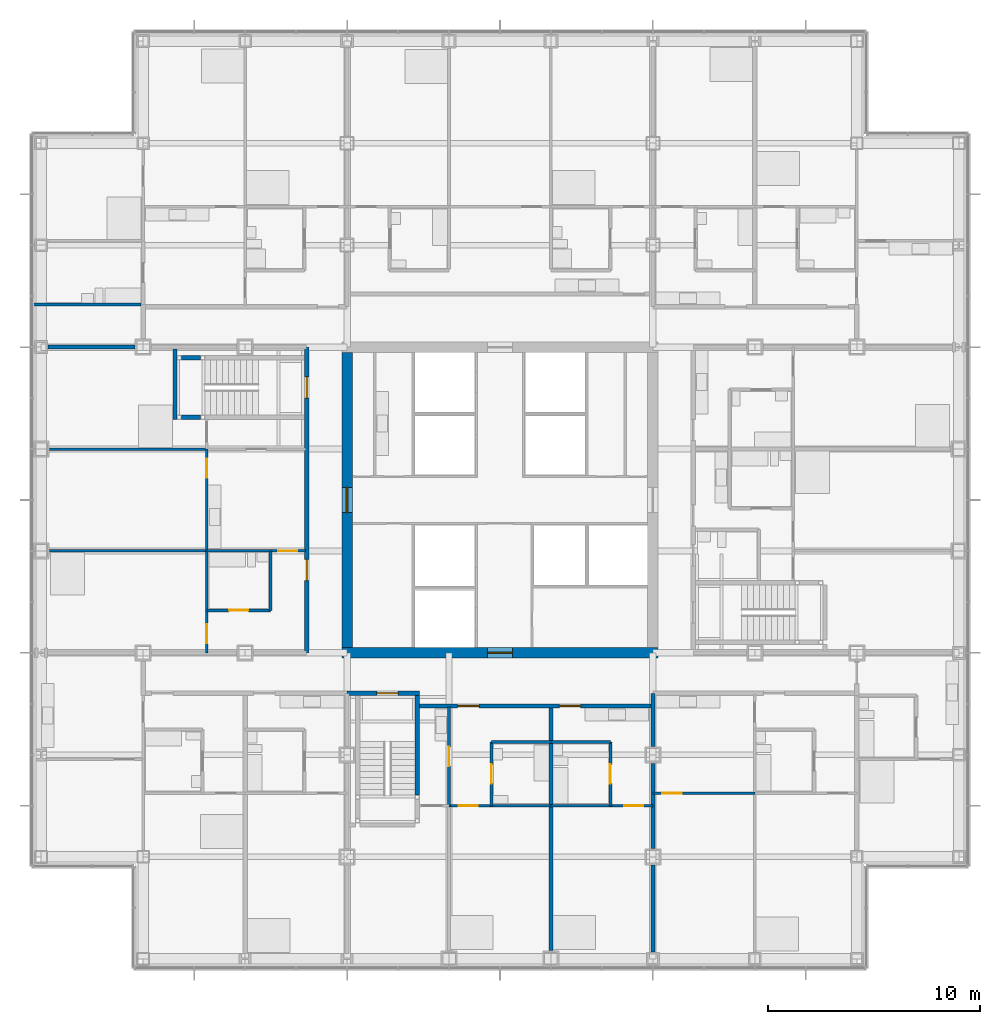
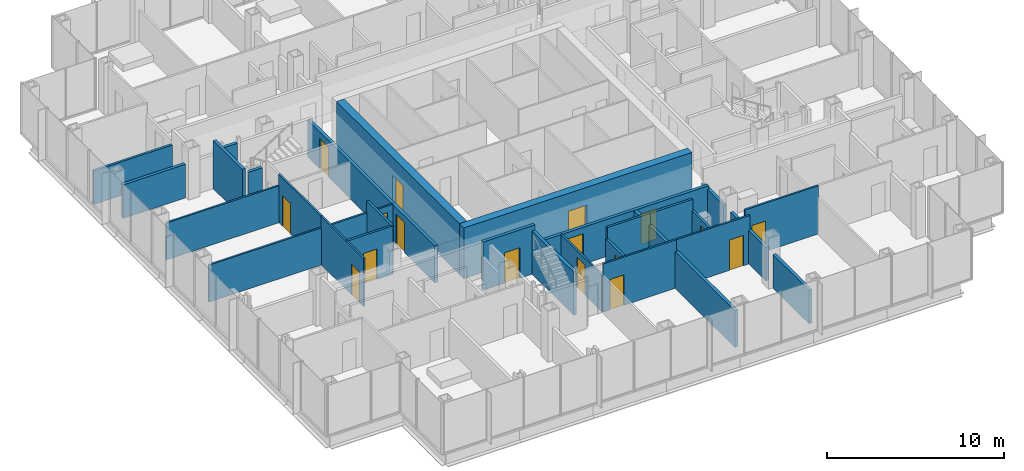
# One storey, part 14 of 21: 30 walls, 17 doors, 17 openings.
"""IFC4 building model written with IfcOpenShell, lengths in metres."""

from ifc_helpers import new_model, si_unit, direction, frame, frame_2d, origin, place, context, subcontext, project, spatial, rectangle, extrude, material, layer, layer_set, type_object, element, fill, save


model = new_model("IFC4")

# Units and contexts
model_context = context("Model", 3, precision=1e-05, world=origin(), true_north=direction((0.0, 1.0)))
body_context = subcontext(model_context, "Body", "Model", "MODEL_VIEW")
ifc_project = project(units=[si_unit("LENGTHUNIT", "METRE"), si_unit("AREAUNIT", "SQUARE_METRE"), si_unit("VOLUMEUNIT", "CUBIC_METRE"), si_unit("PLANEANGLEUNIT", "RADIAN"), si_unit("MASSUNIT", "GRAM", prefix="KILO")], contexts=[model_context])

# Site, building, storey
site_placement = place(None, origin())
site = spatial("IfcSite", under=ifc_project, at=site_placement, CompositionType="ELEMENT")
building_placement = place(site_placement, origin())
building = spatial("IfcBuilding", under=site, at=building_placement, Name="Kvirike Care Tower", CompositionType="ELEMENT")
storey_placement = place(building_placement, frame((0.0, 0.0, 37.5)))
storey = spatial("IfcBuildingStorey", under=building, at=storey_placement, Name="L09", CompositionType="ELEMENT", Elevation=37.5)

# Wall, opening, door
ifc_material_1 = material(Name="Moisture-resistant board partition", Category="gypsum")
ifc_layer_1 = layer(ifc_material_1, 0.14990234375)
ifc_layer_set_1 = layer_set([ifc_layer_1], Name="BATHROOM WALL 150")
wall_type_1 = type_object("IfcWallType", Name="BATHROOM WALL 150", PredefinedType="PARTITIONING", material=ifc_layer_set_1)
wall_1_placement = place(storey_placement, frame((7.800048828125, 30.800048828125, 0.0), z_axis=(0.0, 0.0, 1.0), x_axis=(1.0, 0.0, 0.0)))
wall_1 = element("IfcWall", 1, at=wall_1_placement, inside=storey, type_object=wall_type_1, Name="Bathroom Wall 150 L09", PredefinedType="PARTITIONING", context=body_context, shape_type="SweptSolid", body=[
    extrude(rectangle(XDim=3.0, YDim=0.14990234375, at=frame_2d((1.5, 0.0))), origin(), (0.0, 0.0, 1.0), 3.330078125),
])
opening_1_placement = place(wall_1_placement, frame((1.050048828125, 0.0, 0.0)))
opening_1 = element("IfcOpeningElement", 2, at=opening_1_placement, cuts=wall_1, Name="Opening 09-009", PredefinedType="OPENING", context=body_context, shape_type="SweptSolid", body=[
    extrude(rectangle(XDim=0.89990234375, YDim=2.10009765625, at=frame_2d((0.449951171875, 1.050048828125))), frame((0.0, 0.08544921875, 0.0), z_axis=(0.0, -1.0, 0.0), x_axis=(1.0, 0.0, 0.0)), (0.0, 0.0, 1.0), 0.1708984375),
])
ifc_material_2 = material(Name="Timber door set", Category="wood")
door_type_1 = type_object("IfcDoorType", Name="BATHROOM DOOR 900", OperationType="SINGLE_SWING_RIGHT", PredefinedType="DOOR", material=ifc_material_2)
door_1_placement = place(opening_1_placement, origin())
door_1 = element("IfcDoor", 3, at=door_1_placement, inside=storey, type_object=door_type_1, Name="Bathroom door", OperationType="SINGLE_SWING_LEFT", OverallHeight=2.10009765625, OverallWidth=0.89990234375, PredefinedType="DOOR", context=body_context, shape_type="SweptSolid", body=[
    extrude(rectangle(XDim=0.89990234375, YDim=2.10009765625, at=frame_2d((0.449951171875, 1.050048828125))), frame((0.0, 0.02197265625, 0.0), z_axis=(0.0, -1.0, 0.0), x_axis=(1.0, 0.0, 0.0)), (0.0, 0.0, 1.0), 0.0439453125),
])
fill(opening_1, door_1)

# Wall
wall_2_placement = place(storey_placement, frame((10.800048828125, 33.60009765625, 0.0), z_axis=(0.0, 0.0, 1.0), x_axis=(0.0, -1.0, 0.0)))
element("IfcWall", 4, at=wall_2_placement, inside=storey, type_object=wall_type_1, Name="Bathroom Wall 150 L09", PredefinedType="PARTITIONING", context=body_context, shape_type="SweptSolid", body=[
    extrude(rectangle(XDim=2.800048828125, YDim=0.14990234375, at=frame_2d((1.39990234375, 0.0))), origin(), (0.0, 0.0, 1.0), 3.330078125),
])

# Wall, opening, door
wall_3_placement = place(storey_placement, frame((21.199951171875, 21.60009765625, 0.0), z_axis=(0.0, 0.0, 1.0), x_axis=(0.0, 1.0, 0.0)))
wall_3 = element("IfcWall", 5, at=wall_3_placement, inside=storey, type_object=wall_type_1, Name="Bathroom Wall 150 L09", PredefinedType="PARTITIONING", context=body_context, shape_type="SweptSolid", body=[
    extrude(rectangle(XDim=3.0, YDim=0.14990234375, at=frame_2d((1.5, 0.0))), origin(), (0.0, 0.0, 1.0), 2.550048828125),
])
opening_2_placement = place(wall_3_placement, frame((1.050048828125, 0.0, 0.0)))
opening_2 = element("IfcOpeningElement", 6, at=opening_2_placement, cuts=wall_3, Name="Opening 09-025", PredefinedType="OPENING", context=body_context, shape_type="SweptSolid", body=[
    extrude(rectangle(XDim=0.89990234375, YDim=2.10009765625, at=frame_2d((0.449951171875, 1.050048828125))), frame((0.0, 0.08544921875, 0.0), z_axis=(0.0, -1.0, 0.0), x_axis=(1.0, 0.0, 0.0)), (0.0, 0.0, 1.0), 0.1708984375),
])
door_2_placement = place(opening_2_placement, frame((0.89990234375, 0.0, 0.0), z_axis=(0.0, 0.0, 1.0), x_axis=(-1.0, 0.0, 0.0)))
door_2 = element("IfcDoor", 7, at=door_2_placement, inside=storey, type_object=door_type_1, Name="Bathroom door", OperationType="SINGLE_SWING_LEFT", OverallHeight=2.10009765625, OverallWidth=0.89990234375, PredefinedType="DOOR", context=body_context, shape_type="SweptSolid", body=[
    extrude(rectangle(XDim=0.89990234375, YDim=2.10009765625, at=frame_2d((0.449951171875, 1.050048828125))), frame((0.0, 0.02197265625, 0.0), z_axis=(0.0, -1.0, 0.0), x_axis=(1.0, 0.0, 0.0)), (0.0, 0.0, 1.0), 0.0439453125),
])
fill(opening_2, door_2)

# Wall
wall_4_placement = place(storey_placement, frame((21.199951171875, 24.60009765625, 0.0), z_axis=(0.0, 0.0, 1.0), x_axis=(1.0, 0.0, 0.0)))
element("IfcWall", 8, at=wall_4_placement, inside=storey, type_object=wall_type_1, Name="Bathroom Wall 150 L09", PredefinedType="PARTITIONING", context=body_context, shape_type="SweptSolid", body=[
    extrude(rectangle(XDim=2.800048828125, YDim=0.14990234375, at=frame_2d((1.39990234375, 0.0))), origin(), (0.0, 0.0, 1.0), 3.330078125),
])

# Wall, opening, door
wall_5_placement = place(storey_placement, frame((26.800048828125, 21.60009765625, 0.0), z_axis=(0.0, 0.0, 1.0), x_axis=(0.0, 1.0, 0.0)))
wall_5 = element("IfcWall", 9, at=wall_5_placement, inside=storey, type_object=wall_type_1, Name="Bathroom Wall 150 L09", PredefinedType="PARTITIONING", context=body_context, shape_type="SweptSolid", body=[
    extrude(rectangle(XDim=3.0, YDim=0.14990234375, at=frame_2d((1.5, 0.0))), origin(), (0.0, 0.0, 1.0), 2.550048828125),
])
opening_3_placement = place(wall_5_placement, frame((1.050048828125, 0.0, 0.0)))
opening_3 = element("IfcOpeningElement", 10, at=opening_3_placement, cuts=wall_5, Name="Opening 09-029", PredefinedType="OPENING", context=body_context, shape_type="SweptSolid", body=[
    extrude(rectangle(XDim=0.89990234375, YDim=2.10009765625, at=frame_2d((0.449951171875, 1.050048828125))), frame((0.0, 0.08544921875, 0.0), z_axis=(0.0, -1.0, 0.0), x_axis=(1.0, 0.0, 0.0)), (0.0, 0.0, 1.0), 0.1708984375),
])
door_3_placement = place(opening_3_placement, origin())
door_3 = element("IfcDoor", 11, at=door_3_placement, inside=storey, type_object=door_type_1, Name="Bathroom door", OperationType="SINGLE_SWING_RIGHT", OverallHeight=2.10009765625, OverallWidth=0.89990234375, PredefinedType="DOOR", context=body_context, shape_type="SweptSolid", body=[
    extrude(rectangle(XDim=0.89990234375, YDim=2.10009765625, at=frame_2d((0.449951171875, 1.050048828125))), frame((0.0, 0.02197265625, 0.0), z_axis=(0.0, -1.0, 0.0), x_axis=(1.0, 0.0, 0.0)), (0.0, 0.0, 1.0), 0.0439453125),
])
fill(opening_3, door_3)

# Walls
wall_6_placement = place(storey_placement, frame((24.0, 24.60009765625, 0.0), z_axis=(0.0, 0.0, 1.0), x_axis=(1.0, 0.0, 0.0)))
element("IfcWall", 12, at=wall_6_placement, inside=storey, type_object=wall_type_1, Name="Bathroom Wall 150 L09", PredefinedType="PARTITIONING", context=body_context, shape_type="SweptSolid", body=[
    extrude(rectangle(XDim=2.800048828125, YDim=0.14990234375, at=frame_2d((1.39990234375, 0.0))), origin(), (0.0, 0.0, 1.0), 3.330078125),
])
wall_7_placement = place(storey_placement, frame((4.699951171875, 45.199951171875, 0.0), z_axis=(0.0, 0.0, 1.0), x_axis=(-1.0, 0.0, 0.0)))
element("IfcWall", 13, at=wall_7_placement, inside=storey, type_object=wall_type_1, Name="Bathroom Wall 150 L09", PredefinedType="PARTITIONING", context=body_context, shape_type="SweptSolid", body=[
    extrude(rectangle(XDim=5.135009765625, YDim=0.14990234375, at=frame_2d((2.5673828125, 0.0))), origin(), (0.0, 0.0, 1.0), 2.320068359375),
])

# Wall, opening, door
ifc_material_3 = material(Name="Concrete C60/75", Category="concrete")
ifc_layer_2 = layer(ifc_material_3, 0.5)
ifc_layer_set_2 = layer_set([ifc_layer_2], Name="CORE WALL 500 C60-75")
wall_type_2 = type_object("IfcWallType", Name="CORE WALL 500 C60-75", PredefinedType="SHEAR", material=ifc_layer_set_2)
wall_8_placement = place(storey_placement, frame((14.14990234375, 28.800048828125, -0.169921875), z_axis=(0.0, 0.0, 1.0), x_axis=(1.0, 0.0, 0.0)))
wall_8 = element("IfcWall", 14, at=wall_8_placement, inside=storey, type_object=wall_type_2, Name="Core wall S L09", PredefinedType="SHEAR", context=body_context, shape_type="SweptSolid", body=[
    extrude(rectangle(XDim=14.900146484375, YDim=0.5, at=frame_2d((7.4501953125, 0.0))), origin(), (0.0, 0.0, 1.0), 3.5),
])
opening_4_placement = place(wall_8_placement, frame((6.85009765625, 0.0, 0.169921875)))
opening_4 = element("IfcOpeningElement", 15, at=opening_4_placement, cuts=wall_8, Name="Opening 09-075", PredefinedType="OPENING", context=body_context, shape_type="SweptSolid", body=[
    extrude(rectangle(XDim=1.199951171875, YDim=2.10009765625, at=frame_2d((0.60009765625, 1.050048828125))), frame((0.0, 0.260498046875, 0.0), z_axis=(0.0, -1.0, 0.0), x_axis=(1.0, 0.0, 0.0)), (0.0, 0.0, 1.0), 0.52099609375),
])
ifc_material_4 = material(Name="Timber door set", Category="wood")
door_type_2 = type_object("IfcDoorType", Name="CORE DOOR 1200", OperationType="SINGLE_SWING_LEFT", PredefinedType="DOOR", material=ifc_material_4)
door_4_placement = place(opening_4_placement, origin())
door_4 = element("IfcDoor", 16, at=door_4_placement, inside=storey, type_object=door_type_2, Name="Core door S L09", OperationType="SINGLE_SWING_LEFT", OverallHeight=2.10009765625, OverallWidth=1.199951171875, PredefinedType="DOOR", context=body_context, shape_type="SweptSolid", body=[
    extrude(rectangle(XDim=1.199951171875, YDim=2.10009765625, at=frame_2d((0.60009765625, 1.050048828125))), frame((0.0, 0.02685546875, 0.0), z_axis=(0.0, -1.0, 0.0), x_axis=(1.0, 0.0, 0.0)), (0.0, 0.0, 1.0), 0.053955078125),
])
fill(opening_4, door_4)

wall_9_placement = place(storey_placement, frame((14.39990234375, 42.949951171875, -0.169921875), z_axis=(0.0, 0.0, 1.0), x_axis=(0.0, -1.0, 0.0)))
wall_9 = element("IfcWall", 17, at=wall_9_placement, inside=storey, type_object=wall_type_2, Name="Core wall W L09", PredefinedType="SHEAR", context=body_context, shape_type="SweptSolid", body=[
    extrude(rectangle(XDim=13.89990234375, YDim=0.5, at=frame_2d((6.949951171875, 0.0))), origin(), (0.0, 0.0, 1.0), 3.5),
])
opening_5_placement = place(wall_9_placement, frame((6.35009765625, 0.0, 0.169921875)))
opening_5 = element("IfcOpeningElement", 18, at=opening_5_placement, cuts=wall_9, Name="Opening 09-076", PredefinedType="OPENING", context=body_context, shape_type="SweptSolid", body=[
    extrude(rectangle(XDim=1.199951171875, YDim=2.10009765625, at=frame_2d((0.60009765625, 1.050048828125))), frame((0.0, 0.260498046875, 0.0), z_axis=(0.0, -1.0, 0.0), x_axis=(1.0, 0.0, 0.0)), (0.0, 0.0, 1.0), 0.52099609375),
])
door_5_placement = place(opening_5_placement, origin())
door_5 = element("IfcDoor", 19, at=door_5_placement, inside=storey, type_object=door_type_2, Name="Core door W L09", OperationType="SINGLE_SWING_LEFT", OverallHeight=2.10009765625, OverallWidth=1.199951171875, PredefinedType="DOOR", context=body_context, shape_type="SweptSolid", body=[
    extrude(rectangle(XDim=1.199951171875, YDim=2.10009765625, at=frame_2d((0.60009765625, 1.050048828125))), frame((0.0, 0.02685546875, 0.0), z_axis=(0.0, -1.0, 0.0), x_axis=(1.0, 0.0, 0.0)), (0.0, 0.0, 1.0), 0.053955078125),
])
fill(opening_5, door_5)

# Wall, openings, doors
ifc_material_5 = material(Name="Plasterboard corridor wall", Category="gypsum")
ifc_layer_3 = layer(ifc_material_5, 0.199951171875)
ifc_layer_set_3 = layer_set([ifc_layer_3], Name="CORRIDOR WALL 200")
wall_type_3 = type_object("IfcWallType", Name="CORRIDOR WALL 200", PredefinedType="PARTITIONING", material=ifc_layer_set_3)
wall_10_placement = place(storey_placement, frame((12.5, 43.199951171875, 0.0), z_axis=(0.0, 0.0, 1.0), x_axis=(0.0, -1.0, 0.0)))
wall_10 = element("IfcWall", 20, at=wall_10_placement, inside=storey, type_object=wall_type_3, Name="Corridor Wall 200 L09", PredefinedType="PARTITIONING", context=body_context, shape_type="SweptSolid", body=[
    extrude(rectangle(XDim=14.39990234375, YDim=0.199951171875, at=frame_2d((7.199951171875, 0.0))), origin(), (0.0, 0.0, 1.0), 2.550048828125),
])
opening_6_placement = place(wall_10_placement, frame((1.39990234375, 0.0, 0.0)))
opening_6 = element("IfcOpeningElement", 21, at=opening_6_placement, cuts=wall_10, Name="Opening 09-015", PredefinedType="OPENING", context=body_context, shape_type="SweptSolid", body=[
    extrude(rectangle(XDim=1.0, YDim=2.10009765625, at=frame_2d((0.5, 1.050048828125))), frame((0.0, 0.110595703125, 0.0), z_axis=(0.0, -1.0, 0.0), x_axis=(1.0, 0.0, 0.0)), (0.0, 0.0, 1.0), 0.220947265625),
])
opening_7_placement = place(wall_10_placement, frame((10.0, 0.0, 0.0)))
opening_7 = element("IfcOpeningElement", 22, at=opening_7_placement, cuts=wall_10, Name="Opening 09-016", PredefinedType="OPENING", context=body_context, shape_type="SweptSolid", body=[
    extrude(rectangle(XDim=1.0, YDim=2.10009765625, at=frame_2d((0.5, 1.050048828125))), frame((0.0, 0.110595703125, 0.0), z_axis=(0.0, -1.0, 0.0), x_axis=(1.0, 0.0, 0.0)), (0.0, 0.0, 1.0), 0.220947265625),
])
ifc_material_6 = material(Name="Timber door set", Category="wood")
door_type_3 = type_object("IfcDoorType", Name="FLAT ENTRANCE DOOR 1000", OperationType="SINGLE_SWING_LEFT", PredefinedType="DOOR", material=ifc_material_6)
door_6_placement = place(opening_7_placement, frame((1.0, 0.0, 0.0), z_axis=(0.0, 0.0, 1.0), x_axis=(-1.0, 0.0, 0.0)))
door_6 = element("IfcDoor", 23, at=door_6_placement, inside=storey, type_object=door_type_3, Name="Two-bedroom apartment entrance", OperationType="SINGLE_SWING_LEFT", OverallHeight=2.10009765625, OverallWidth=1.0, PredefinedType="DOOR", context=body_context, shape_type="SweptSolid", body=[
    extrude(rectangle(XDim=1.0, YDim=2.10009765625, at=frame_2d((0.5, 1.050048828125))), frame((0.0, 0.02685546875, 0.0), z_axis=(0.0, -1.0, 0.0), x_axis=(1.0, 0.0, 0.0)), (0.0, 0.0, 1.0), 0.053955078125),
])
fill(opening_7, door_6)
ifc_material_7 = material(Name="Timber door set", Category="wood")
door_type_4 = type_object("IfcDoorType", Name="STAIR DOOR 1000", OperationType="SINGLE_SWING_LEFT", PredefinedType="DOOR", material=ifc_material_7)
door_7_placement = place(opening_6_placement, frame((1.0, 0.0, 0.0), z_axis=(0.0, 0.0, 1.0), x_axis=(-1.0, 0.0, 0.0)))
door_7 = element("IfcDoor", 24, at=door_7_placement, inside=storey, type_object=door_type_4, Name="Stair 1 door", OperationType="SINGLE_SWING_RIGHT", OverallHeight=2.10009765625, OverallWidth=1.0, PredefinedType="DOOR", context=body_context, shape_type="SweptSolid", body=[
    extrude(rectangle(XDim=1.0, YDim=2.10009765625, at=frame_2d((0.5, 1.050048828125))), frame((0.0, 0.031982421875, 0.0), z_axis=(0.0, -1.0, 0.0), x_axis=(1.0, 0.0, 0.0)), (0.0, 0.0, 1.0), 0.06396484375),
])
fill(opening_6, door_7)

wall_11_placement = place(storey_placement, frame((17.800048828125, 26.300048828125, 0.0), z_axis=(0.0, 0.0, 1.0), x_axis=(1.0, 0.0, 0.0)))
wall_11 = element("IfcWall", 25, at=wall_11_placement, inside=storey, type_object=wall_type_3, Name="Corridor Wall 200 L09", PredefinedType="PARTITIONING", context=body_context, shape_type="SweptSolid", body=[
    extrude(rectangle(XDim=11.0, YDim=0.199951171875, at=frame_2d((5.5, 0.0))), origin(), (0.0, 0.0, 1.0), 2.550048828125),
])
opening_8_placement = place(wall_11_placement, frame((1.800048828125, 0.0, 0.0)))
opening_8 = element("IfcOpeningElement", 26, at=opening_8_placement, cuts=wall_11, Name="Opening 09-031", PredefinedType="OPENING", context=body_context, shape_type="SweptSolid", body=[
    extrude(rectangle(XDim=1.0, YDim=2.10009765625, at=frame_2d((0.5, 1.050048828125))), frame((0.0, 0.110595703125, 0.0), z_axis=(0.0, -1.0, 0.0), x_axis=(1.0, 0.0, 0.0)), (0.0, 0.0, 1.0), 0.220947265625),
])
opening_9_placement = place(wall_11_placement, frame((6.60009765625, 0.0, 0.0)))
opening_9 = element("IfcOpeningElement", 27, at=opening_9_placement, cuts=wall_11, Name="Opening 09-032", PredefinedType="OPENING", context=body_context, shape_type="SweptSolid", body=[
    extrude(rectangle(XDim=1.0, YDim=2.10009765625, at=frame_2d((0.5, 1.050048828125))), frame((0.0, 0.110595703125, 0.0), z_axis=(0.0, -1.0, 0.0), x_axis=(1.0, 0.0, 0.0)), (0.0, 0.0, 1.0), 0.220947265625),
])
door_8_placement = place(opening_8_placement, frame((1.0, 0.0, 0.0), z_axis=(0.0, 0.0, 1.0), x_axis=(-1.0, 0.0, 0.0)))
door_8 = element("IfcDoor", 28, at=door_8_placement, inside=storey, type_object=door_type_3, Name="One-bedroom apartment entrance", OperationType="SINGLE_SWING_LEFT", OverallHeight=2.10009765625, OverallWidth=1.0, PredefinedType="DOOR", context=body_context, shape_type="SweptSolid", body=[
    extrude(rectangle(XDim=1.0, YDim=2.10009765625, at=frame_2d((0.5, 1.050048828125))), frame((0.0, 0.02685546875, 0.0), z_axis=(0.0, -1.0, 0.0), x_axis=(1.0, 0.0, 0.0)), (0.0, 0.0, 1.0), 0.053955078125),
])
fill(opening_8, door_8)
door_9_placement = place(opening_9_placement, frame((1.0, 0.0, 0.0), z_axis=(0.0, 0.0, 1.0), x_axis=(-1.0, 0.0, 0.0)))
door_9 = element("IfcDoor", 29, at=door_9_placement, inside=storey, type_object=door_type_3, Name="Studio apartment entrance", OperationType="SINGLE_SWING_RIGHT", OverallHeight=2.10009765625, OverallWidth=1.0, PredefinedType="DOOR", context=body_context, shape_type="SweptSolid", body=[
    extrude(rectangle(XDim=1.0, YDim=2.10009765625, at=frame_2d((0.5, 1.050048828125))), frame((0.0, 0.02685546875, 0.0), z_axis=(0.0, -1.0, 0.0), x_axis=(1.0, 0.0, 0.0)), (0.0, 0.0, 1.0), 0.053955078125),
])
fill(opening_9, door_9)

# Wall, opening, door
ifc_material_8 = material(Name="Plasterboard partition", Category="gypsum")
ifc_layer_4 = layer(ifc_material_8, 0.1201171875)
ifc_layer_set_4 = layer_set([ifc_layer_4], Name="PARTITION 120")
wall_type_4 = type_object("IfcWallType", Name="PARTITION 120", PredefinedType="PARTITIONING", material=ifc_layer_set_4)
wall_12_placement = place(storey_placement, frame((7.800048828125, 33.60009765625, 0.0), z_axis=(0.0, 0.0, 1.0), x_axis=(1.0, 0.0, 0.0)))
wall_12 = element("IfcWall", 30, at=wall_12_placement, inside=storey, type_object=wall_type_4, Name="Partition 120 L09", PredefinedType="PARTITIONING", context=body_context, shape_type="SweptSolid", body=[
    extrude(rectangle(XDim=4.64990234375, YDim=0.1201171875, at=frame_2d((2.324951171875, 0.0))), origin(), (0.0, 0.0, 1.0), 2.550048828125),
])
opening_10_placement = place(wall_12_placement, frame((3.35009765625, 0.0, 0.0)))
opening_10 = element("IfcOpeningElement", 31, at=opening_10_placement, cuts=wall_12, Name="Opening 09-011", PredefinedType="OPENING", context=body_context, shape_type="SweptSolid", body=[
    extrude(rectangle(XDim=0.89990234375, YDim=2.10009765625, at=frame_2d((0.449951171875, 1.050048828125))), frame((0.0, 0.070556640625, 0.0), z_axis=(0.0, -1.0, 0.0), x_axis=(1.0, 0.0, 0.0)), (0.0, 0.0, 1.0), 0.14111328125),
])
ifc_material_9 = material(Name="Timber door set", Category="wood")
door_type_5 = type_object("IfcDoorType", Name="INTERNAL DOOR 900", OperationType="SINGLE_SWING_LEFT", PredefinedType="DOOR", material=ifc_material_9)
door_10_placement = place(opening_10_placement, origin())
door_10 = element("IfcDoor", 32, at=door_10_placement, inside=storey, type_object=door_type_5, Name="Hall door", OperationType="SINGLE_SWING_LEFT", OverallHeight=2.10009765625, OverallWidth=0.89990234375, PredefinedType="DOOR", context=body_context, shape_type="SweptSolid", body=[
    extrude(rectangle(XDim=0.89990234375, YDim=2.10009765625, at=frame_2d((0.449951171875, 1.050048828125))), frame((0.0, 0.02197265625, 0.0), z_axis=(0.0, -1.0, 0.0), x_axis=(1.0, 0.0, 0.0)), (0.0, 0.0, 1.0), 0.0439453125),
])
fill(opening_10, door_10)

wall_13_placement = place(storey_placement, frame((7.800048828125, 38.39990234375, 0.0), z_axis=(0.0, 0.0, 1.0), x_axis=(0.0, -1.0, 0.0)))
wall_13 = element("IfcWall", 33, at=wall_13_placement, inside=storey, type_object=wall_type_4, Name="Partition 120 L09", PredefinedType="PARTITIONING", context=body_context, shape_type="SweptSolid", body=[
    extrude(rectangle(XDim=4.7998046875, YDim=0.1201171875, at=frame_2d((2.39990234375, 0.0))), origin(), (0.0, 0.0, 1.0), 3.330078125),
])
opening_11_placement = place(wall_13_placement, frame((0.449951171875, 0.0, 0.0)))
opening_11 = element("IfcOpeningElement", 34, at=opening_11_placement, cuts=wall_13, Name="Opening 09-013", PredefinedType="OPENING", context=body_context, shape_type="SweptSolid", body=[
    extrude(rectangle(XDim=0.89990234375, YDim=2.10009765625, at=frame_2d((0.449951171875, 1.050048828125))), frame((0.0, 0.070556640625, 0.0), z_axis=(0.0, -1.0, 0.0), x_axis=(1.0, 0.0, 0.0)), (0.0, 0.0, 1.0), 0.14111328125),
])
door_11_placement = place(opening_11_placement, origin())
door_11 = element("IfcDoor", 35, at=door_11_placement, inside=storey, type_object=door_type_5, Name="Apartment living room door", OperationType="SINGLE_SWING_RIGHT", OverallHeight=2.10009765625, OverallWidth=0.89990234375, PredefinedType="DOOR", context=body_context, shape_type="SweptSolid", body=[
    extrude(rectangle(XDim=0.89990234375, YDim=2.10009765625, at=frame_2d((0.449951171875, 1.050048828125))), frame((0.0, 0.02197265625, 0.0), z_axis=(0.0, -1.0, 0.0), x_axis=(1.0, 0.0, 0.0)), (0.0, 0.0, 1.0), 0.0439453125),
])
fill(opening_11, door_11)

wall_14_placement = place(storey_placement, frame((7.800048828125, 33.60009765625, 0.0), z_axis=(0.0, 0.0, 1.0), x_axis=(0.0, -1.0, 0.0)))
wall_14 = element("IfcWall", 36, at=wall_14_placement, inside=storey, type_object=wall_type_4, Name="Partition 120 L09", PredefinedType="PARTITIONING", context=body_context, shape_type="SweptSolid", body=[
    extrude(rectangle(XDim=4.800048828125, YDim=0.1201171875, at=frame_2d((2.39990234375, 0.0))), origin(), (0.0, 0.0, 1.0), 3.330078125),
])
opening_12_placement = place(wall_14_placement, frame((3.449951171875, 0.0, 0.0)))
opening_12 = element("IfcOpeningElement", 37, at=opening_12_placement, cuts=wall_14, Name="Opening 09-014", PredefinedType="OPENING", context=body_context, shape_type="SweptSolid", body=[
    extrude(rectangle(XDim=0.89990234375, YDim=2.10009765625, at=frame_2d((0.449951171875, 1.050048828125))), frame((0.0, 0.070556640625, 0.0), z_axis=(0.0, -1.0, 0.0), x_axis=(1.0, 0.0, 0.0)), (0.0, 0.0, 1.0), 0.14111328125),
])
door_12_placement = place(opening_12_placement, origin())
door_12 = element("IfcDoor", 38, at=door_12_placement, inside=storey, type_object=door_type_5, Name="Apartment bedroom door", OperationType="SINGLE_SWING_LEFT", OverallHeight=2.10009765625, OverallWidth=0.89990234375, PredefinedType="DOOR", context=body_context, shape_type="SweptSolid", body=[
    extrude(rectangle(XDim=0.89990234375, YDim=2.10009765625, at=frame_2d((0.449951171875, 1.050048828125))), frame((0.0, 0.02197265625, 0.0), z_axis=(0.0, -1.0, 0.0), x_axis=(1.0, 0.0, 0.0)), (0.0, 0.0, 1.0), 0.0439453125),
])
fill(opening_12, door_12)

# Walls
for number, where, z_axis, x_axis, name in (
    (39, (0.39501953125, 38.39990234375, 0.0), (0.0, 0.0, 1.0), (1.0, 0.0, 0.0), "Partition 120 L09"),
    (40, (0.39501953125, 33.60009765625, 0.0), (0.0, 0.0, 1.0), (1.0, 0.0, 0.0), "Partition 120 L09"),
):
    element("IfcWall", number, at=place(storey_placement, frame(where, z_axis=z_axis, x_axis=x_axis)), inside=storey, type_object=wall_type_4, Name=name, PredefinedType="PARTITIONING", context=body_context, shape_type="SweptSolid", body=[
        extrude(rectangle(XDim=7.405029296875, YDim=0.1201171875, at=frame_2d((3.70263671875, 0.0))), origin(), (0.0, 0.0, 1.0), 2.550048828125),
    ])

# Wall, opening, door
wall_15_placement = place(storey_placement, frame((19.199951171875, 21.60009765625, 0.0), z_axis=(0.0, 0.0, 1.0), x_axis=(0.0, 1.0, 0.0)))
wall_15 = element("IfcWall", 41, at=wall_15_placement, inside=storey, type_object=wall_type_4, Name="Partition 120 L09", PredefinedType="PARTITIONING", context=body_context, shape_type="SweptSolid", body=[
    extrude(rectangle(XDim=4.64990234375, YDim=0.1201171875, at=frame_2d((2.324951171875, 0.0))), origin(), (0.0, 0.0, 1.0), 2.550048828125),
])
opening_13_placement = place(wall_15_placement, frame((1.875, 0.0, 0.0)))
opening_13 = element("IfcOpeningElement", 42, at=opening_13_placement, cuts=wall_15, Name="Opening 09-026", PredefinedType="OPENING", context=body_context, shape_type="SweptSolid", body=[
    extrude(rectangle(XDim=0.89990234375, YDim=2.10009765625, at=frame_2d((0.449951171875, 1.050048828125))), frame((0.0, 0.070556640625, 0.0), z_axis=(0.0, -1.0, 0.0), x_axis=(1.0, 0.0, 0.0)), (0.0, 0.0, 1.0), 0.14111328125),
])
door_13_placement = place(opening_13_placement, origin())
door_13 = element("IfcDoor", 43, at=door_13_placement, inside=storey, type_object=door_type_5, Name="Hall door", OperationType="SINGLE_SWING_RIGHT", OverallHeight=2.10009765625, OverallWidth=0.89990234375, PredefinedType="DOOR", context=body_context, shape_type="SweptSolid", body=[
    extrude(rectangle(XDim=0.89990234375, YDim=2.10009765625, at=frame_2d((0.449951171875, 1.050048828125))), frame((0.0, 0.02197265625, 0.0), z_axis=(0.0, -1.0, 0.0), x_axis=(1.0, 0.0, 0.0)), (0.0, 0.0, 1.0), 0.0439453125),
])
fill(opening_13, door_13)

wall_16_placement = place(storey_placement, frame((19.199951171875, 21.60009765625, 0.0), z_axis=(0.0, 0.0, 1.0), x_axis=(1.0, 0.0, 0.0)))
wall_16 = element("IfcWall", 44, at=wall_16_placement, inside=storey, type_object=wall_type_4, Name="Partition 120 L09", PredefinedType="PARTITIONING", context=body_context, shape_type="SweptSolid", body=[
    extrude(rectangle(XDim=4.800048828125, YDim=0.1201171875, at=frame_2d((2.39990234375, 0.0))), origin(), (0.0, 0.0, 1.0), 3.330078125),
])
opening_14_placement = place(wall_16_placement, frame((0.449951171875, 0.0, 0.0)))
opening_14 = element("IfcOpeningElement", 45, at=opening_14_placement, cuts=wall_16, Name="Opening 09-028", PredefinedType="OPENING", context=body_context, shape_type="SweptSolid", body=[
    extrude(rectangle(XDim=0.89990234375, YDim=2.10009765625, at=frame_2d((0.449951171875, 1.050048828125))), frame((0.0, 0.070556640625, 0.0), z_axis=(0.0, -1.0, 0.0), x_axis=(1.0, 0.0, 0.0)), (0.0, 0.0, 1.0), 0.14111328125),
])
door_14_placement = place(opening_14_placement, origin())
door_14 = element("IfcDoor", 46, at=door_14_placement, inside=storey, type_object=door_type_5, Name="Apartment bedroom door", OperationType="SINGLE_SWING_RIGHT", OverallHeight=2.10009765625, OverallWidth=0.89990234375, PredefinedType="DOOR", context=body_context, shape_type="SweptSolid", body=[
    extrude(rectangle(XDim=0.89990234375, YDim=2.10009765625, at=frame_2d((0.449951171875, 1.050048828125))), frame((0.0, 0.02197265625, 0.0), z_axis=(0.0, -1.0, 0.0), x_axis=(1.0, 0.0, 0.0)), (0.0, 0.0, 1.0), 0.0439453125),
])
fill(opening_14, door_14)

wall_17_placement = place(storey_placement, frame((24.0, 21.60009765625, 0.0), z_axis=(0.0, 0.0, 1.0), x_axis=(1.0, 0.0, 0.0)))
wall_17 = element("IfcWall", 47, at=wall_17_placement, inside=storey, type_object=wall_type_4, Name="Partition 120 L09", PredefinedType="PARTITIONING", context=body_context, shape_type="SweptSolid", body=[
    extrude(rectangle(XDim=4.800048828125, YDim=0.1201171875, at=frame_2d((2.39990234375, 0.0))), origin(), (0.0, 0.0, 1.0), 3.330078125),
])
opening_15_placement = place(wall_17_placement, frame((3.449951171875, 0.0, 0.0)))
opening_15 = element("IfcOpeningElement", 48, at=opening_15_placement, cuts=wall_17, Name="Opening 09-030", PredefinedType="OPENING", context=body_context, shape_type="SweptSolid", body=[
    extrude(rectangle(XDim=0.89990234375, YDim=2.10009765625, at=frame_2d((0.449951171875, 1.050048828125))), frame((0.0, 0.070556640625, 0.0), z_axis=(0.0, -1.0, 0.0), x_axis=(1.0, 0.0, 0.0)), (0.0, 0.0, 1.0), 0.14111328125),
])
door_15_placement = place(opening_15_placement, origin())
door_15 = element("IfcDoor", 49, at=door_15_placement, inside=storey, type_object=door_type_5, Name="Studio apartment living room door", OperationType="SINGLE_SWING_LEFT", OverallHeight=2.10009765625, OverallWidth=0.89990234375, PredefinedType="DOOR", context=body_context, shape_type="SweptSolid", body=[
    extrude(rectangle(XDim=0.89990234375, YDim=2.10009765625, at=frame_2d((0.449951171875, 1.050048828125))), frame((0.0, 0.02197265625, 0.0), z_axis=(0.0, -1.0, 0.0), x_axis=(1.0, 0.0, 0.0)), (0.0, 0.0, 1.0), 0.0439453125),
])
fill(opening_15, door_15)

wall_18_placement = place(storey_placement, frame((28.800048828125, 22.199951171875, 0.0), z_axis=(0.0, 0.0, 1.0), x_axis=(1.0, 0.0, 0.0)))
wall_18 = element("IfcWall", 50, at=wall_18_placement, inside=storey, type_object=wall_type_4, Name="Partition 120 L09", PredefinedType="PARTITIONING", context=body_context, shape_type="SweptSolid", body=[
    extrude(rectangle(XDim=4.800048828125, YDim=0.1201171875, at=frame_2d((2.39990234375, 0.0))), origin(), (0.0, 0.0, 1.0), 3.330078125),
])
opening_16_placement = place(wall_18_placement, frame((0.449951171875, 0.0, 0.0)))
opening_16 = element("IfcOpeningElement", 51, at=opening_16_placement, cuts=wall_18, Name="Opening 09-041", PredefinedType="OPENING", context=body_context, shape_type="SweptSolid", body=[
    extrude(rectangle(XDim=0.89990234375, YDim=2.10009765625, at=frame_2d((0.449951171875, 1.050048828125))), frame((0.0, 0.070556640625, 0.0), z_axis=(0.0, -1.0, 0.0), x_axis=(1.0, 0.0, 0.0)), (0.0, 0.0, 1.0), 0.14111328125),
])
door_16_placement = place(opening_16_placement, origin())
door_16 = element("IfcDoor", 52, at=door_16_placement, inside=storey, type_object=door_type_5, Name="Apartment living room door", OperationType="SINGLE_SWING_RIGHT", OverallHeight=2.10009765625, OverallWidth=0.89990234375, PredefinedType="DOOR", context=body_context, shape_type="SweptSolid", body=[
    extrude(rectangle(XDim=0.89990234375, YDim=2.10009765625, at=frame_2d((0.449951171875, 1.050048828125))), frame((0.0, 0.02197265625, 0.0), z_axis=(0.0, -1.0, 0.0), x_axis=(1.0, 0.0, 0.0)), (0.0, 0.0, 1.0), 0.0439453125),
])
fill(opening_16, door_16)

# Walls
ifc_material_10 = material(Name="Plasterboard party wall", Category="gypsum")
ifc_layer_5 = layer(ifc_material_10, 0.199951171875)
ifc_layer_set_5 = layer_set([ifc_layer_5], Name="PARTY WALL 200")
wall_type_5 = type_object("IfcWallType", Name="PARTY WALL 200", PredefinedType="PARTITIONING", material=ifc_layer_set_5)
wall_19_placement = place(storey_placement, frame((24.0, 14.794921875, 0.0), z_axis=(0.0, 0.0, 1.0), x_axis=(0.0, 1.0, 0.0)))
element("IfcWall", 53, at=wall_19_placement, inside=storey, type_object=wall_type_5, Name="Party Wall 200 L09", PredefinedType="PARTITIONING", context=body_context, shape_type="SweptSolid", body=[
    extrude(rectangle(XDim=11.405029296875, YDim=0.199951171875, at=frame_2d((5.70263671875, 0.0))), origin(), (0.0, 0.0, 1.0), 2.550048828125),
])
for number, where, z_axis, x_axis, name in (
    (54, (4.405029296875, 43.199951171875, 0.0), (0.0, 0.0, 1.0), (-1.0, 0.0, 0.0), "Party Wall 200 L09"),
    (55, (28.800048828125, 14.719970703125, 0.0), (0.0, 0.0, 1.0), (0.0, 1.0, 0.0), "Party Wall 200 L09"),
):
    element("IfcWall", number, at=place(storey_placement, frame(where, z_axis=z_axis, x_axis=x_axis)), inside=storey, type_object=wall_type_5, Name=name, PredefinedType="PARTITIONING", context=body_context, shape_type="SweptSolid", body=[
        extrude(rectangle(XDim=4.0849609375, YDim=0.199951171875, at=frame_2d((2.04248046875, 0.0))), origin(), (0.0, 0.0, 1.0), 2.320068359375),
    ])
wall_20_placement = place(storey_placement, frame((28.800048828125, 19.594970703125, 0.0), z_axis=(0.0, 0.0, 1.0), x_axis=(0.0, 1.0, 0.0)))
element("IfcWall", 56, at=wall_20_placement, inside=storey, type_object=wall_type_5, Name="Party Wall 200 L09", PredefinedType="PARTITIONING", context=body_context, shape_type="SweptSolid", body=[
    extrude(rectangle(XDim=4.010009765625, YDim=0.199951171875, at=frame_2d((2.0048828125, 0.0))), origin(), (0.0, 0.0, 1.0), 2.320068359375),
])
wall_21_placement = place(storey_placement, frame((28.800048828125, 24.39501953125, 0.0), z_axis=(0.0, 0.0, 1.0), x_axis=(0.0, 1.0, 0.0)))
element("IfcWall", 57, at=wall_21_placement, inside=storey, type_object=wall_type_5, Name="Party Wall 200 L09", PredefinedType="PARTITIONING", context=body_context, shape_type="SweptSolid", body=[
    extrude(rectangle(XDim=2.5048828125, YDim=0.199951171875, at=frame_2d((1.25244140625, 0.0))), origin(), (0.0, 0.0, 1.0), 2.320068359375),
])
ifc_material_11 = material(Name="Concrete C40/50", Category="concrete")
ifc_layer_6 = layer(ifc_material_11, 0.199951171875)
ifc_layer_set_6 = layer_set([ifc_layer_6], Name="STAIR WALL 200")
wall_type_6 = type_object("IfcWallType", Name="STAIR WALL 200", PredefinedType="SOLIDWALL", material=ifc_layer_set_6)
for number, where, z_axis, x_axis, name in (
    (58, (6.60009765625, 42.699951171875, 0.0), (0.0, 0.0, 1.0), (1.0, 0.0, 0.0), "Stair Wall 200 L09"),
    (59, (6.60009765625, 39.89990234375, 0.0), (0.0, 0.0, 1.0), (1.0, 0.0, 0.0), "Stair Wall 200 L09"),
):
    element("IfcWall", number, at=place(storey_placement, frame(where, z_axis=z_axis, x_axis=x_axis)), inside=storey, type_object=wall_type_6, Name=name, PredefinedType="SOLIDWALL", context=body_context, shape_type="SweptSolid", body=[
        extrude(rectangle(XDim=0.89990234375, YDim=0.199951171875, at=frame_2d((0.449951171875, 0.0))), origin(), (0.0, 0.0, 1.0), 2.989990234375),
    ])
wall_22_placement = place(storey_placement, frame((6.300048828125, 43.10009765625, 0.0), z_axis=(0.0, 0.0, 1.0), x_axis=(0.0, -1.0, 0.0)))
element("IfcWall", 60, at=wall_22_placement, inside=storey, type_object=wall_type_6, Name="Stair Wall 200 L09", PredefinedType="SOLIDWALL", context=body_context, shape_type="SweptSolid", body=[
    extrude(rectangle(XDim=3.300048828125, YDim=0.199951171875, at=frame_2d((1.64990234375, 0.0))), origin(), (0.0, 0.0, 1.0), 3.330078125),
])
wall_23_placement = place(storey_placement, frame((17.699951171875, 22.10009765625, 0.0), z_axis=(0.0, 0.0, 1.0), x_axis=(0.0, 1.0, 0.0)))
element("IfcWall", 61, at=wall_23_placement, inside=storey, type_object=wall_type_6, Name="Stair Wall 200 L09", PredefinedType="SOLIDWALL", context=body_context, shape_type="SweptSolid", body=[
    extrude(rectangle(XDim=4.699951171875, YDim=0.199951171875, at=frame_2d((2.35009765625, 0.0))), origin(), (0.0, 0.0, 1.0), 2.989990234375),
])

# Wall, opening, door
wall_24_placement = place(storey_placement, frame((14.39990234375, 26.89990234375, 0.0), z_axis=(0.0, 0.0, 1.0), x_axis=(1.0, 0.0, 0.0)))
wall_24 = element("IfcWall", 62, at=wall_24_placement, inside=storey, type_object=wall_type_6, Name="Stair Wall 200 L09", PredefinedType="SOLIDWALL", context=body_context, shape_type="SweptSolid", body=[
    extrude(rectangle(XDim=3.400146484375, YDim=0.199951171875, at=frame_2d((1.7001953125, 0.0))), origin(), (0.0, 0.0, 1.0), 3.330078125),
])
opening_17_placement = place(wall_24_placement, frame((1.39990234375, 0.0, 0.0)))
opening_17 = element("IfcOpeningElement", 63, at=opening_17_placement, cuts=wall_24, Name="Opening 09-024", PredefinedType="OPENING", context=body_context, shape_type="SweptSolid", body=[
    extrude(rectangle(XDim=1.0, YDim=2.10009765625, at=frame_2d((0.5, 1.050048828125))), frame((0.0, 0.110595703125, 0.0), z_axis=(0.0, -1.0, 0.0), x_axis=(1.0, 0.0, 0.0)), (0.0, 0.0, 1.0), 0.220947265625),
])
door_17_placement = place(opening_17_placement, frame((1.0, 0.0, 0.0), z_axis=(0.0, 0.0, 1.0), x_axis=(-1.0, 0.0, 0.0)))
door_17 = element("IfcDoor", 64, at=door_17_placement, inside=storey, type_object=door_type_4, Name="Stair 5 door", OperationType="SINGLE_SWING_RIGHT", OverallHeight=2.10009765625, OverallWidth=1.0, PredefinedType="DOOR", context=body_context, shape_type="SweptSolid", body=[
    extrude(rectangle(XDim=1.0, YDim=2.10009765625, at=frame_2d((0.5, 1.050048828125))), frame((0.0, 0.031982421875, 0.0), z_axis=(0.0, -1.0, 0.0), x_axis=(1.0, 0.0, 0.0)), (0.0, 0.0, 1.0), 0.06396484375),
])
fill(opening_17, door_17)

save(model, "model.ifc")
